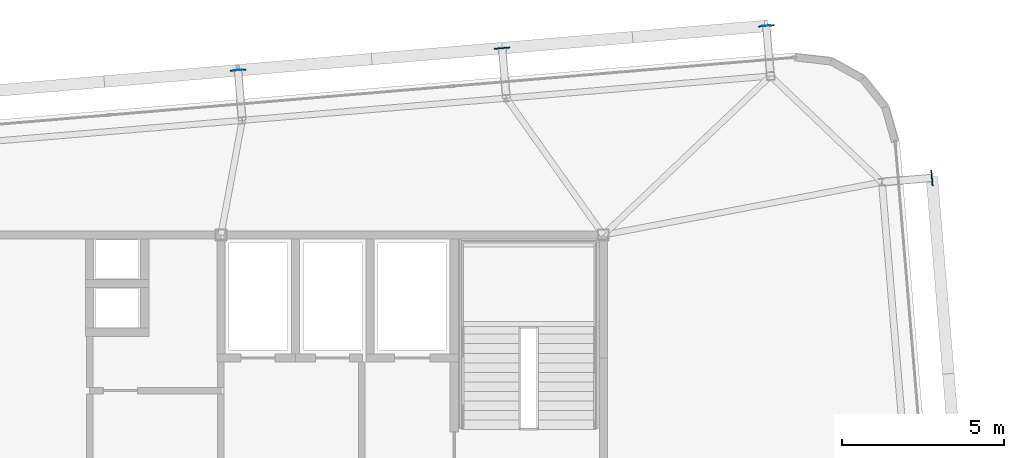
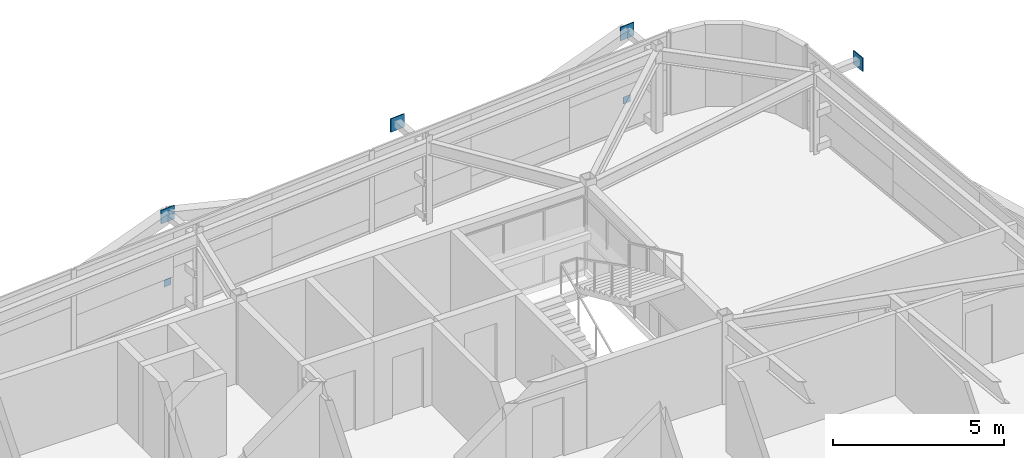
# One storey, part 32 of 37: 6 plates.
"""IFC4 building model written with IfcOpenShell, lengths in metres."""

from ifc_helpers import new_model, si_unit, direction, frame, origin, origin_2d, place, context, subcontext, project, spatial, rectangle, extrude, source, transform, mapped, material, layer, layer_set, type_object, element, save


model = new_model("IFC4")

# Units and contexts
model_context = context("Model", 3, precision=1e-05, world=origin(), true_north=direction((0.0, 1.0)))
body_context = subcontext(model_context, "Body", "Model", "MODEL_VIEW")
ifc_project = project(units=[si_unit("LENGTHUNIT", "METRE"), si_unit("AREAUNIT", "SQUARE_METRE"), si_unit("VOLUMEUNIT", "CUBIC_METRE"), si_unit("PLANEANGLEUNIT", "RADIAN"), si_unit("MASSUNIT", "GRAM", prefix="KILO")], contexts=[model_context])

# Site, building, storey
site_placement = place(None, origin())
site = spatial("IfcSite", under=ifc_project, at=site_placement, CompositionType="ELEMENT")
building_placement = place(site_placement, origin())
building = spatial("IfcBuilding", under=site, at=building_placement, Name="Taldren Reach Tower", CompositionType="ELEMENT")
storey_placement = place(building_placement, frame((0.0, 0.0, 172.550048828125)))
storey = spatial("IfcBuildingStorey", under=building, at=storey_placement, Name="L52", CompositionType="ELEMENT", Elevation=172.550048828125)

# Plates
ifc_material_1 = material(Name="Steel Gr 350 (C350L0)", Category="steel")
ifc_layer_1 = layer(ifc_material_1, 0.011962890625)
ifc_layer_set_1 = layer_set([ifc_layer_1], Name="Steel Gr 350 (C350L0)")
plate_type_1 = type_object("IfcPlateType", Name="PL-CAP-250", PredefinedType="SHEET", material=ifc_layer_set_1)
shared_shape_1 = source(origin(), body_context, "Body", "SweptSolid", [
    extrude(rectangle(XDim=0.25, YDim=0.011962890625, at=origin_2d()), origin(), (0.0, 0.0, 1.0), 0.25),
])
for number, where, z_axis, x_axis, name in (
    (1, (39.7275390625, 37.087646484375, 0.094970703125), (0.0, 0.0, 1.0), (0.99649285925, 0.083677843332, 0.0), "Tie strut end cap plate B4-N4 L52"),
    (2, (56.030029296875, 38.45654296875, 0.094970703125), (0.0, 0.0, 1.0), (0.99649285925, 0.083677843332, 0.0), "Tie strut end cap plate B4-N6 L52"),
):
    element("IfcPlate", number, at=place(storey_placement, frame(where, z_axis=z_axis, x_axis=x_axis)), inside=storey, type_object=plate_type_1, Name=name, PredefinedType="SHEET", context=body_context, shape_type="MappedRepresentation", body=[
        mapped(shared_shape_1, transform((0.0, 0.0, 0.0), scale=1.0)),
    ])
ifc_material_2 = material(Name="Steel Gr 450 (C450L0)", Category="steel")
ifc_layer_2 = layer(ifc_material_2, 0.031982421875)
ifc_layer_set_2 = layer_set([ifc_layer_2], Name="Steel Gr 450 (C450L0)")
plate_type_2 = type_object("IfcPlateType", Name="PL-GUSSET-32", PredefinedType="SHEET", material=ifc_layer_set_2)
shared_shape_2 = source(origin(), body_context, "Body", "SweptSolid", [
    extrude(rectangle(XDim=0.47998046875, YDim=0.031982421875, at=origin_2d()), origin(), (0.0, 0.0, 1.0), 0.47998046875),
])
for number, where, z_axis, x_axis, name in (
    (3, (39.72802734375, 37.08154296875, 2.409912109375), (0.0, 0.0, 1.0), (0.99649285925, 0.083677843332, 0.0), "Exoskeleton star-node gusset plate B4-N4 L52"),
    (4, (47.87939453125, 37.76611328125, 2.409912109375), (0.0, 0.0, 1.0), (0.99649285925, 0.083677843332, 0.0), "Exoskeleton star-node gusset plate B4-N5 L52"),
    (5, (56.03076171875, 38.450439453125, 2.409912109375), (0.0, 0.0, 1.0), (0.99649285925, 0.083677843332, 0.0), "Exoskeleton star-node gusset plate B4-N6 L52"),
    (6, (61.140869140625, 33.76171875, 2.409912109375), (0.0, 0.0, 1.0), (-0.083677843332, 0.99649285925, 0.0), "Exoskeleton star-node gusset plate B4-E3 L52"),
):
    element("IfcPlate", number, at=place(storey_placement, frame(where, z_axis=z_axis, x_axis=x_axis)), inside=storey, type_object=plate_type_2, Name=name, PredefinedType="SHEET", context=body_context, shape_type="MappedRepresentation", body=[
        mapped(shared_shape_2, transform((0.0, 0.0, 0.0), scale=1.0)),
    ])

save(model, "model.ifc")
